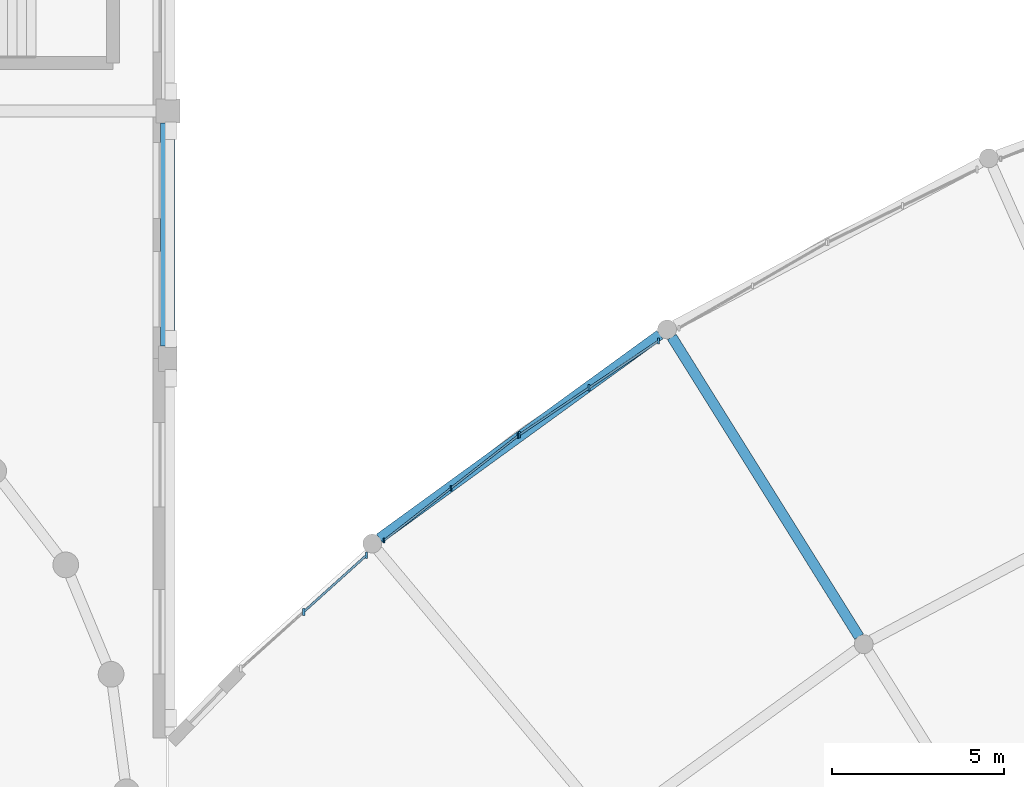
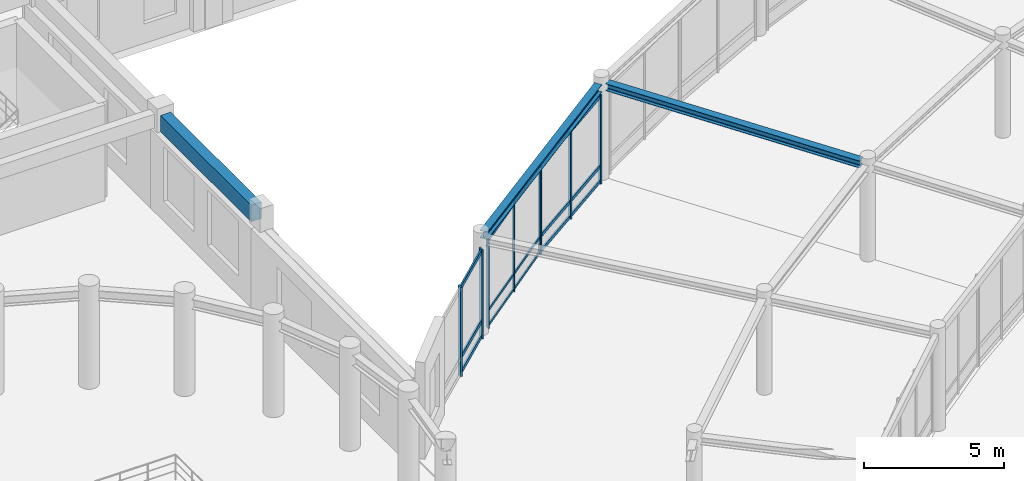
# One storey, part 18 of 62: 23 members, 3 beams, 3 elements without a shape of their own.
"""IFC4 building model written with IfcOpenShell, lengths in metres."""

from ifc_helpers import new_model, si_unit, direction, frame, origin, origin_2d, place, context, subcontext, project, spatial, rectangle, i_section, extrude, material, material_profile, profile_set, type_object, element, aggregate, save


model = new_model("IFC4")

# Units and contexts
model_context = context("Model", 3, precision=1e-05, world=origin(), true_north=direction((0.0, 1.0)))
body_context = subcontext(model_context, "Body", "Model", "MODEL_VIEW")
ifc_project = project(units=[si_unit("LENGTHUNIT", "METRE"), si_unit("AREAUNIT", "SQUARE_METRE"), si_unit("VOLUMEUNIT", "CUBIC_METRE"), si_unit("PLANEANGLEUNIT", "RADIAN"), si_unit("MASSUNIT", "GRAM", prefix="KILO")], contexts=[model_context])

# Site, building, storey
site_placement = place(None, origin())
site = spatial("IfcSite", under=ifc_project, at=site_placement, CompositionType="ELEMENT")
building_placement = place(site_placement, origin())
building = spatial("IfcBuilding", under=site, at=building_placement, Name="Clarverna Civic Hall", CompositionType="ELEMENT")
storey_placement = place(building_placement, frame((0.0, 0.0, 5.10009765625)))
storey = spatial("IfcBuildingStorey", under=building, at=storey_placement, Name="L01", CompositionType="ELEMENT", Elevation=5.10009765625)

# Beams
ifc_material_1 = material(Name="Concrete C35/45", Category="concrete")
ifc_material_profile_1 = material_profile(ifc_material_1, rectangle(XDim=0.419921875, YDim=0.719970703125, at=origin_2d()), Name="RC 420x720")
ifc_profile_set_1 = profile_set([ifc_material_profile_1], Name="Concrete C35/45")
beam_type_1 = type_object("IfcBeamType", Name="B-SP1", PredefinedType="SPANDREL", material=ifc_profile_set_1)
beam_1_placement = place(storey_placement, frame((97.199951171875, 71.97509765625, 3.81982421875), z_axis=(0.0, 1.0, 0.0), x_axis=(-1.0, 0.0, 0.0)))
element("IfcBeam", 1, at=beam_1_placement, inside=storey, type_object=beam_type_1, Name="B-SP1-077", PredefinedType="SPANDREL", context=body_context, shape_type="SweptSolid", body=[
    extrude(rectangle(XDim=0.419921875, YDim=0.719970703125, at=origin_2d()), origin(), (0.0, 0.0, 1.0), 6.474853515625),
])
ifc_material_2 = material(Name="Steel S355", Category="steel")
ifc_material_profile_2 = material_profile(ifc_material_2, i_section(OverallWidth=0.300048828125, OverallDepth=0.330078125, WebThickness=0.009521484375, FlangeThickness=0.0166015625, FilletRadius=0.027099609375, at=origin_2d()), Name="HEA 340")
ifc_profile_set_2 = profile_set([ifc_material_profile_2], Name="Steel S355")
beam_type_2 = type_object("IfcBeamType", Name="B-ST8", PredefinedType="BEAM", material=ifc_profile_set_2)
beam_2_placement = place(storey_placement, frame((111.515869140625, 72.298828125, 4.054931640625), z_axis=(-0.809028110817, -0.587769951518, 0.0), x_axis=(0.587769951518, -0.809028110817, 0.0)))
element("IfcBeam", 2, at=beam_2_placement, inside=storey, type_object=beam_type_2, Name="B-ST8-070", PredefinedType="BEAM", context=body_context, shape_type="SweptSolid", body=[
    extrude(i_section(OverallWidth=0.300048828125, OverallDepth=0.330078125, WebThickness=0.009521484375, FlangeThickness=0.0166015625, FilletRadius=0.027099609375, at=origin_2d()), origin(), (0.0, 0.0, 1.0), 10.0830078125),
])
ifc_material_profile_3 = material_profile(ifc_material_2, i_section(OverallWidth=0.300048828125, OverallDepth=0.31005859375, WebThickness=0.009033203125, FlangeThickness=0.015380859375, FilletRadius=0.027099609375, at=origin_2d()), Name="HEA 320")
ifc_profile_set_3 = profile_set([ifc_material_profile_3], Name="Steel S355")
beam_type_3 = type_object("IfcBeamType", Name="B-ST9", PredefinedType="BEAM", material=ifc_profile_set_3)
beam_3_placement = place(storey_placement, frame((117.3115234375, 63.51318359375, 4.06494140625), z_axis=(-0.52991141278, 0.848053002239, 0.0), x_axis=(-0.848053002239, -0.52991141278, 0.0)))
element("IfcBeam", 3, at=beam_3_placement, inside=storey, type_object=beam_type_3, Name="B-ST9-063", PredefinedType="BEAM", context=body_context, shape_type="SweptSolid", body=[
    extrude(i_section(OverallWidth=0.300048828125, OverallDepth=0.31005859375, WebThickness=0.009033203125, FlangeThickness=0.015380859375, FilletRadius=0.027099609375, at=origin_2d()), origin(), (0.0, 0.0, 1.0), 10.280029296875),
])

# Curtain wall, members
ifc_material_3 = material(Name="Anodised Bronze Architectural Aluminium", Category="aluminium")
curtain_wall_type = type_object("IfcCurtainWallType", Name="CW-03", PredefinedType="USERDEFINED", material=ifc_material_3)
curtain_wall_1_placement = place(storey_placement, origin())
curtain_wall_1 = element("IfcCurtainWall", 4, at=curtain_wall_1_placement, inside=storey, type_object=curtain_wall_type, Name="CW-03-029", ObjectType="UNITISED CURTAIN WALL", PredefinedType="USERDEFINED")
ifc_material_profile_4 = material_profile(ifc_material_3, rectangle(XDim=0.06005859375, YDim=0.179931640625, at=origin_2d()), Name="BRONZE 60x180")
ifc_profile_set_4 = profile_set([ifc_material_profile_4], Name="Anodised Bronze Architectural Aluminium")
member_type_1 = type_object("IfcMemberType", Name="CWM-01", PredefinedType="MULLION", material=ifc_profile_set_4)
member_1_placement = place(storey_placement, frame((107.43408203125, 69.3876953125, 0.0), z_axis=(0.0, 0.0, 1.0), x_axis=(1.0, 0.0, 0.0)))
member_1 = element("IfcMember", 5, at=member_1_placement, type_object=member_type_1, Name="CWM-01-044", PredefinedType="MULLION", context=body_context, shape_type="SweptSolid", body=[
    extrude(rectangle(XDim=0.06005859375, YDim=0.179931640625, at=origin_2d()), origin(), (0.0, 0.0, 1.0), 3.889892578125),
])
member_2_placement = place(storey_placement, frame((109.4580078125, 70.7529296875, 0.0), z_axis=(0.0, 0.0, 1.0), x_axis=(1.0, 0.0, 0.0)))
member_2 = element("IfcMember", 6, at=member_2_placement, type_object=member_type_1, Name="CWM-01-045", PredefinedType="MULLION", context=body_context, shape_type="SweptSolid", body=[
    extrude(rectangle(XDim=0.06005859375, YDim=0.179931640625, at=origin_2d()), origin(), (0.0, 0.0, 1.0), 3.889892578125),
])
member_3_placement = place(storey_placement, frame((111.482177734375, 72.1181640625, 0.0), z_axis=(0.0, 0.0, 1.0), x_axis=(1.0, 0.0, 0.0)))
member_3 = element("IfcMember", 7, at=member_3_placement, type_object=member_type_1, Name="CWM-01-046", PredefinedType="MULLION", context=body_context, shape_type="SweptSolid", body=[
    extrude(rectangle(XDim=0.06005859375, YDim=0.179931640625, at=origin_2d()), origin(), (0.0, 0.0, 1.0), 3.889892578125),
])

curtain_wall_2_placement = place(storey_placement, origin())
curtain_wall_2 = element("IfcCurtainWall", 8, at=curtain_wall_2_placement, inside=storey, type_object=curtain_wall_type, Name="CW-03-027", ObjectType="UNITISED CURTAIN WALL", PredefinedType="USERDEFINED")
ifc_material_profile_5 = material_profile(ifc_material_3, rectangle(XDim=0.06494140625, YDim=0.199951171875, at=origin_2d()), Name="BRONZE 65x200")
ifc_profile_set_5 = profile_set([ifc_material_profile_5], Name="Anodised Bronze Architectural Aluminium")
member_type_2 = type_object("IfcMemberType", Name="CWM-03", PredefinedType="MULLION", material=ifc_profile_set_5)
member_4_placement = place(storey_placement, frame((101.153564453125, 64.235107421875, 0.0), z_axis=(0.0, 0.0, 1.0), x_axis=(1.0, 0.0, 0.0)))
member_4 = element("IfcMember", 9, at=member_4_placement, type_object=member_type_2, Name="CWM-03-042", PredefinedType="MULLION", context=body_context, shape_type="SweptSolid", body=[
    extrude(rectangle(XDim=0.06494140625, YDim=0.199951171875, at=origin_2d()), origin(), (0.0, 0.0, 1.0), 3.889892578125),
])
member_5_placement = place(storey_placement, frame((102.98291015625, 65.88232421875, 0.0), z_axis=(0.0, 0.0, 1.0), x_axis=(1.0, 0.0, 0.0)))
member_5 = element("IfcMember", 10, at=member_5_placement, type_object=member_type_2, Name="CWM-03-043", PredefinedType="MULLION", context=body_context, shape_type="SweptSolid", body=[
    extrude(rectangle(XDim=0.06494140625, YDim=0.199951171875, at=origin_2d()), origin(), (0.0, 0.0, 1.0), 3.889892578125),
])

curtain_wall_3_placement = place(storey_placement, origin())
curtain_wall_3 = element("IfcCurtainWall", 11, at=curtain_wall_3_placement, inside=storey, type_object=curtain_wall_type, Name="CW-03-028", ObjectType="UNITISED CURTAIN WALL", PredefinedType="USERDEFINED")
ifc_material_profile_6 = material_profile(ifc_material_3, rectangle(XDim=0.054931640625, YDim=0.139892578125, at=origin_2d()), Name="BRONZE 55x140")
ifc_profile_set_6 = profile_set([ifc_material_profile_6], Name="Anodised Bronze Architectural Aluminium")
member_type_3 = type_object("IfcMemberType", Name="CWM-04", PredefinedType="MULLION", material=ifc_profile_set_6)
member_6_placement = place(storey_placement, frame((103.489013671875, 66.30810546875, 0.0), z_axis=(0.0, 0.0, 1.0), x_axis=(1.0, 0.0, 0.0)))
member_6 = element("IfcMember", 12, at=member_6_placement, type_object=member_type_3, Name="CWM-04-054", PredefinedType="MULLION", context=body_context, shape_type="SweptSolid", body=[
    extrude(rectangle(XDim=0.054931640625, YDim=0.139892578125, at=origin_2d()), origin(), (0.0, 0.0, 1.0), 3.889892578125),
])
member_7_placement = place(storey_placement, frame((105.438720703125, 67.831298828125, 0.0), z_axis=(0.0, 0.0, 1.0), x_axis=(1.0, 0.0, 0.0)))
member_7 = element("IfcMember", 13, at=member_7_placement, type_object=member_type_3, Name="CWM-04-055", PredefinedType="MULLION", context=body_context, shape_type="SweptSolid", body=[
    extrude(rectangle(XDim=0.054931640625, YDim=0.139892578125, at=origin_2d()), origin(), (0.0, 0.0, 1.0), 3.889892578125),
])
member_8_placement = place(storey_placement, frame((107.388427734375, 69.354736328125, 0.0), z_axis=(0.0, 0.0, 1.0), x_axis=(1.0, 0.0, 0.0)))
member_8 = element("IfcMember", 14, at=member_8_placement, type_object=member_type_3, Name="CWM-04-056", PredefinedType="MULLION", context=body_context, shape_type="SweptSolid", body=[
    extrude(rectangle(XDim=0.054931640625, YDim=0.139892578125, at=origin_2d()), origin(), (0.0, 0.0, 1.0), 3.889892578125),
])

# Member
ifc_material_profile_7 = material_profile(ifc_material_3, rectangle(XDim=0.06005859375, YDim=0.14990234375, at=origin_2d()), Name="BRONZE 60x150")
ifc_profile_set_7 = profile_set([ifc_material_profile_7], Name="Anodised Bronze Architectural Aluminium")
member_type_4 = type_object("IfcMemberType", Name="CWT-01", PredefinedType="USERDEFINED", material=ifc_profile_set_7)
member_9_placement = place(storey_placement, frame((107.4462890625, 69.39599609375, 0.094970703125), z_axis=(0.82901646408, 0.559224196798, 0.0), x_axis=(-0.559224196798, 0.82901646408, 0.0)))
member_9 = element("IfcMember", 15, at=member_9_placement, type_object=member_type_4, Name="CWT-01-091", ObjectType="TRANSOM", PredefinedType="USERDEFINED", context=body_context, shape_type="SweptSolid", body=[
    extrude(rectangle(XDim=0.06005859375, YDim=0.14990234375, at=origin_2d()), origin(), (0.0, 0.0, 1.0), 2.41162109375),
])

member_10_placement = place(storey_placement, frame((107.4462890625, 69.39599609375, 0.75), z_axis=(0.82901646408, 0.559224196798, 0.0), x_axis=(-0.559224196798, 0.82901646408, 0.0)))
member_10 = element("IfcMember", 16, at=member_10_placement, type_object=member_type_4, Name="CWT-01-092", ObjectType="TRANSOM", PredefinedType="USERDEFINED", context=body_context, shape_type="SweptSolid", body=[
    extrude(rectangle(XDim=0.06005859375, YDim=0.14990234375, at=origin_2d()), origin(), (0.0, 0.0, 1.0), 2.41162109375),
])

member_11_placement = place(storey_placement, frame((107.4462890625, 69.39599609375, 3.794921875), z_axis=(0.82901646408, 0.559224196798, 0.0), x_axis=(-0.559224196798, 0.82901646408, 0.0)))
member_11 = element("IfcMember", 17, at=member_11_placement, type_object=member_type_4, Name="CWT-01-093", ObjectType="TRANSOM", PredefinedType="USERDEFINED", context=body_context, shape_type="SweptSolid", body=[
    extrude(rectangle(XDim=0.06005859375, YDim=0.14990234375, at=origin_2d()), origin(), (0.0, 0.0, 1.0), 2.41162109375),
])

member_12_placement = place(storey_placement, frame((109.470458984375, 70.76123046875, 0.094970703125), z_axis=(0.82901646408, 0.559224196798, 0.0), x_axis=(-0.559224196798, 0.82901646408, 0.0)))
member_12 = element("IfcMember", 18, at=member_12_placement, type_object=member_type_4, Name="CWT-01-094", ObjectType="TRANSOM", PredefinedType="USERDEFINED", context=body_context, shape_type="SweptSolid", body=[
    extrude(rectangle(XDim=0.06005859375, YDim=0.14990234375, at=origin_2d()), origin(), (0.0, 0.0, 1.0), 2.41162109375),
])

member_13_placement = place(storey_placement, frame((109.470458984375, 70.76123046875, 0.75), z_axis=(0.82901646408, 0.559224196798, 0.0), x_axis=(-0.559224196798, 0.82901646408, 0.0)))
member_13 = element("IfcMember", 19, at=member_13_placement, type_object=member_type_4, Name="CWT-01-095", ObjectType="TRANSOM", PredefinedType="USERDEFINED", context=body_context, shape_type="SweptSolid", body=[
    extrude(rectangle(XDim=0.06005859375, YDim=0.14990234375, at=origin_2d()), origin(), (0.0, 0.0, 1.0), 2.41162109375),
])

member_14_placement = place(storey_placement, frame((109.470458984375, 70.76123046875, 3.794921875), z_axis=(0.82901646408, 0.559224196798, 0.0), x_axis=(-0.559224196798, 0.82901646408, 0.0)))
member_14 = element("IfcMember", 20, at=member_14_placement, type_object=member_type_4, Name="CWT-01-096", ObjectType="TRANSOM", PredefinedType="USERDEFINED", context=body_context, shape_type="SweptSolid", body=[
    extrude(rectangle(XDim=0.06005859375, YDim=0.14990234375, at=origin_2d()), origin(), (0.0, 0.0, 1.0), 2.41162109375),
])

aggregate(curtain_wall_1, [member_1, member_2, member_3, member_9, member_10, member_11, member_12, member_13, member_14])

ifc_material_profile_8 = material_profile(ifc_material_3, rectangle(XDim=0.06494140625, YDim=0.169921875, at=origin_2d()), Name="BRONZE 65x170")
ifc_profile_set_8 = profile_set([ifc_material_profile_8], Name="Anodised Bronze Architectural Aluminium")
member_type_5 = type_object("IfcMemberType", Name="CWT-03", PredefinedType="USERDEFINED", material=ifc_profile_set_8)
member_15_placement = place(storey_placement, frame((101.164794921875, 64.2451171875, 0.094970703125), z_axis=(0.743134378248, 0.669142209001, 0.0), x_axis=(-0.669142209001, 0.743134378248, 0.0)))
member_15 = element("IfcMember", 21, at=member_15_placement, type_object=member_type_5, Name="CWT-03-088", ObjectType="TRANSOM", PredefinedType="USERDEFINED", context=body_context, shape_type="SweptSolid", body=[
    extrude(rectangle(XDim=0.06494140625, YDim=0.169921875, at=origin_2d()), origin(), (0.0, 0.0, 1.0), 2.431884765625),
])

member_16_placement = place(storey_placement, frame((101.164794921875, 64.2451171875, 0.75), z_axis=(0.743134378248, 0.669142209001, 0.0), x_axis=(-0.669142209001, 0.743134378248, 0.0)))
member_16 = element("IfcMember", 22, at=member_16_placement, type_object=member_type_5, Name="CWT-03-089", ObjectType="TRANSOM", PredefinedType="USERDEFINED", context=body_context, shape_type="SweptSolid", body=[
    extrude(rectangle(XDim=0.06494140625, YDim=0.169921875, at=origin_2d()), origin(), (0.0, 0.0, 1.0), 2.431884765625),
])

member_17_placement = place(storey_placement, frame((101.164794921875, 64.2451171875, 3.794921875), z_axis=(0.743134378248, 0.669142209001, 0.0), x_axis=(-0.669142209001, 0.743134378248, 0.0)))
member_17 = element("IfcMember", 23, at=member_17_placement, type_object=member_type_5, Name="CWT-03-090", ObjectType="TRANSOM", PredefinedType="USERDEFINED", context=body_context, shape_type="SweptSolid", body=[
    extrude(rectangle(XDim=0.06494140625, YDim=0.169921875, at=origin_2d()), origin(), (0.0, 0.0, 1.0), 2.431884765625),
])

aggregate(curtain_wall_2, [member_4, member_5, member_15, member_16, member_17])

ifc_material_profile_9 = material_profile(ifc_material_3, rectangle(XDim=0.054931640625, YDim=0.110107421875, at=origin_2d()), Name="BRONZE 55x110")
ifc_profile_set_9 = profile_set([ifc_material_profile_9], Name="Anodised Bronze Architectural Aluminium")
member_type_6 = type_object("IfcMemberType", Name="CWT-04", PredefinedType="USERDEFINED", material=ifc_profile_set_9)
member_18_placement = place(storey_placement, frame((103.5009765625, 66.3173828125, 0.094970703125), z_axis=(0.787989543088, 0.615688622588, 0.0), x_axis=(-0.615688622588, 0.787989543088, 0.0)))
member_18 = element("IfcMember", 24, at=member_18_placement, type_object=member_type_6, Name="CWT-04-112", ObjectType="TRANSOM", PredefinedType="USERDEFINED", context=body_context, shape_type="SweptSolid", body=[
    extrude(rectangle(XDim=0.054931640625, YDim=0.110107421875, at=origin_2d()), origin(), (0.0, 0.0, 1.0), 2.4443359375),
])

member_19_placement = place(storey_placement, frame((103.5009765625, 66.3173828125, 0.75), z_axis=(0.787989543088, 0.615688622588, 0.0), x_axis=(-0.615688622588, 0.787989543088, 0.0)))
member_19 = element("IfcMember", 25, at=member_19_placement, type_object=member_type_6, Name="CWT-04-113", ObjectType="TRANSOM", PredefinedType="USERDEFINED", context=body_context, shape_type="SweptSolid", body=[
    extrude(rectangle(XDim=0.054931640625, YDim=0.110107421875, at=origin_2d()), origin(), (0.0, 0.0, 1.0), 2.4443359375),
])

member_20_placement = place(storey_placement, frame((103.5009765625, 66.3173828125, 3.794921875), z_axis=(0.787989543088, 0.615688622588, 0.0), x_axis=(-0.615688622588, 0.787989543088, 0.0)))
member_20 = element("IfcMember", 26, at=member_20_placement, type_object=member_type_6, Name="CWT-04-114", ObjectType="TRANSOM", PredefinedType="USERDEFINED", context=body_context, shape_type="SweptSolid", body=[
    extrude(rectangle(XDim=0.054931640625, YDim=0.110107421875, at=origin_2d()), origin(), (0.0, 0.0, 1.0), 2.4443359375),
])

member_21_placement = place(storey_placement, frame((105.45068359375, 67.8408203125, 0.094970703125), z_axis=(0.788038003256, 0.615626595774, 0.0), x_axis=(-0.615626595774, 0.788038003256, 0.0)))
member_21 = element("IfcMember", 27, at=member_21_placement, type_object=member_type_6, Name="CWT-04-115", ObjectType="TRANSOM", PredefinedType="USERDEFINED", context=body_context, shape_type="SweptSolid", body=[
    extrude(rectangle(XDim=0.054931640625, YDim=0.110107421875, at=origin_2d()), origin(), (0.0, 0.0, 1.0), 2.444091796875),
])

member_22_placement = place(storey_placement, frame((105.45068359375, 67.8408203125, 0.75), z_axis=(0.788038003256, 0.615626595774, 0.0), x_axis=(-0.615626595774, 0.788038003256, 0.0)))
member_22 = element("IfcMember", 28, at=member_22_placement, type_object=member_type_6, Name="CWT-04-116", ObjectType="TRANSOM", PredefinedType="USERDEFINED", context=body_context, shape_type="SweptSolid", body=[
    extrude(rectangle(XDim=0.054931640625, YDim=0.110107421875, at=origin_2d()), origin(), (0.0, 0.0, 1.0), 2.444091796875),
])

member_23_placement = place(storey_placement, frame((105.45068359375, 67.8408203125, 3.794921875), z_axis=(0.788038003256, 0.615626595774, 0.0), x_axis=(-0.615626595774, 0.788038003256, 0.0)))
member_23 = element("IfcMember", 29, at=member_23_placement, type_object=member_type_6, Name="CWT-04-117", ObjectType="TRANSOM", PredefinedType="USERDEFINED", context=body_context, shape_type="SweptSolid", body=[
    extrude(rectangle(XDim=0.054931640625, YDim=0.110107421875, at=origin_2d()), origin(), (0.0, 0.0, 1.0), 2.444091796875),
])

aggregate(curtain_wall_3, [member_6, member_7, member_8, member_18, member_19, member_20, member_21, member_22, member_23])

save(model, "model.ifc")
